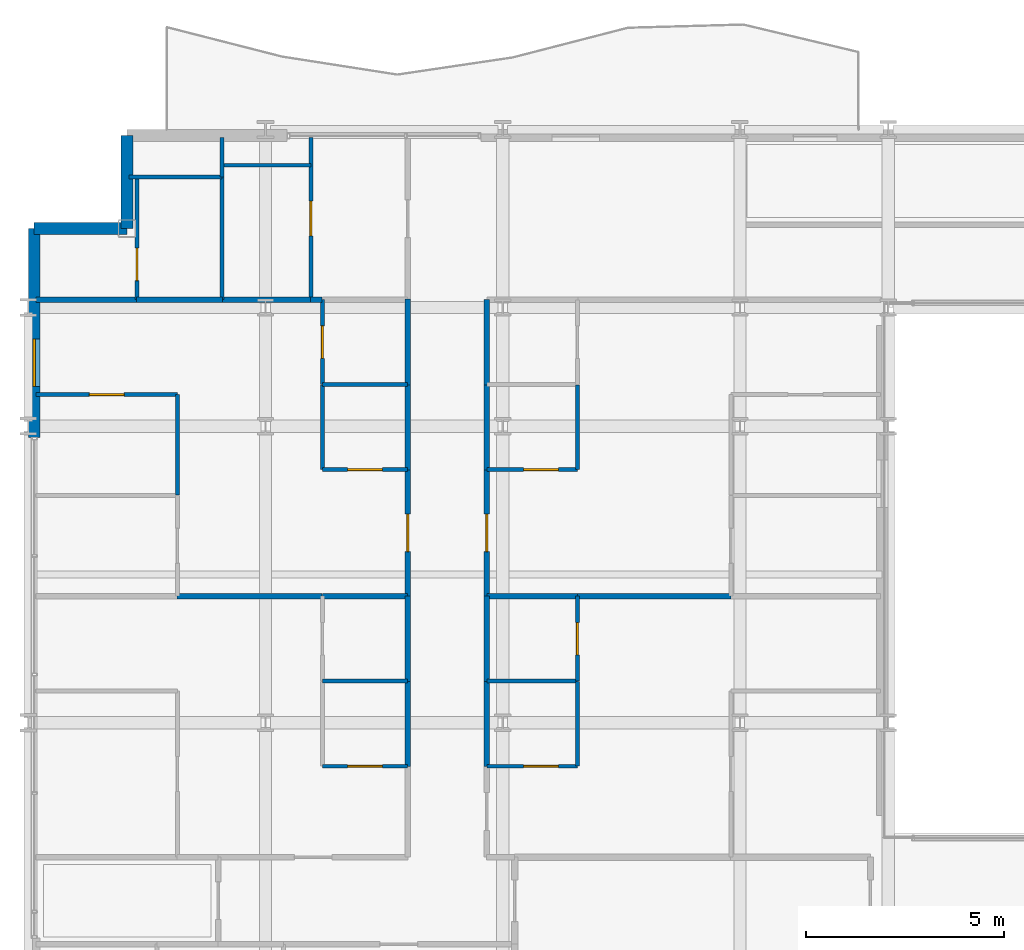
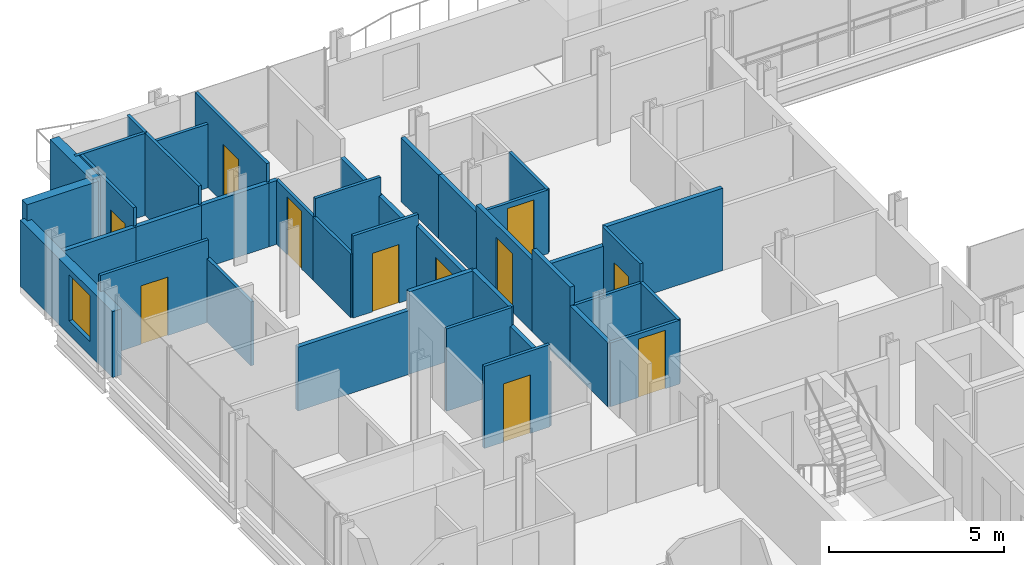
# One storey, part 33 of 40: 41 walls, 11 doors, 1 window, 12 openings.
"""IFC4 building model written with IfcOpenShell, lengths in metres."""

from ifc_helpers import new_model, si_unit, direction, frame, frame_2d, origin, place, context, subcontext, project, spatial, rectangle, extrude, material, layer, layer_set, type_object, element, fill, save


model = new_model("IFC4")

# Units and contexts
model_context = context("Model", 3, precision=1e-05, world=origin(), true_north=direction((0.0, 1.0)))
body_context = subcontext(model_context, "Body", "Model", "MODEL_VIEW")
ifc_project = project(units=[si_unit("LENGTHUNIT", "METRE"), si_unit("AREAUNIT", "SQUARE_METRE"), si_unit("VOLUMEUNIT", "CUBIC_METRE"), si_unit("PLANEANGLEUNIT", "RADIAN"), si_unit("MASSUNIT", "GRAM", prefix="KILO")], contexts=[model_context])

# Site, building, storey
site_placement = place(None, origin())
site = spatial("IfcSite", under=ifc_project, at=site_placement, CompositionType="ELEMENT")
building_placement = place(site_placement, origin())
building = spatial("IfcBuilding", under=site, at=building_placement, Name="Brevholm Reach", CompositionType="ELEMENT")
storey_placement = place(building_placement, frame((0.0, 0.0, 80.699951171875)))
storey = spatial("IfcBuildingStorey", under=building, at=storey_placement, Name="L23", CompositionType="ELEMENT", Elevation=80.699951171875)

# Walls
ifc_material_1 = material(Name="Concrete C40/50", Category="concrete")
ifc_layer_1 = layer(ifc_material_1, 0.300048828125)
ifc_layer_set_1 = layer_set([ifc_layer_1], Name="Concrete C40/50")
wall_type_1 = type_object("IfcWallType", Name="WAL-EXT-300", PredefinedType="STANDARD", material=ifc_layer_set_1)
for number, where, z_axis, x_axis, name in (
    (1, (2.5, 30.85009765625, 0.0), (0.0, 0.0, 1.0), (0.0, -1.0, 0.0), "L23 Facade Wall WAL-L23-CNW1"),
    (2, (2.5, 28.5, 0.0), (0.0, 0.0, 1.0), (-1.0, 0.0, 0.0), "L23 Facade Wall WAL-L23-CNW2"),
):
    element("IfcWall", number, at=place(storey_placement, frame(where, z_axis=z_axis, x_axis=x_axis)), inside=storey, type_object=wall_type_1, Name=name, PredefinedType="STANDARD", context=body_context, shape_type="SweptSolid", body=[
        extrude(rectangle(XDim=2.35009765625, YDim=0.300048828125, at=frame_2d((1.175048828125, 0.0))), origin(), (0.0, 0.0, 1.0), 2.8701171875),
    ])

# Wall, opening, window
wall_1_placement = place(storey_placement, frame((0.14990234375, 28.5, 0.0), z_axis=(0.0, 0.0, 1.0), x_axis=(0.0, -1.0, 0.0)))
wall_1 = element("IfcWall", 3, at=wall_1_placement, inside=storey, type_object=wall_type_1, Name="L23 Facade Wall WAL-L23-W-N", PredefinedType="STANDARD", context=body_context, shape_type="SweptSolid", body=[
    extrude(rectangle(XDim=5.280029296875, YDim=0.300048828125, at=frame_2d((2.64013671875, 0.0))), origin(), (0.0, 0.0, 1.0), 2.3056640625),
])
opening_1_placement = place(wall_1_placement, frame((2.800048828125, 0.0, 0.485107421875)))
opening_1 = element("IfcOpeningElement", 4, at=opening_1_placement, cuts=wall_1, Name="Opening WN-08", PredefinedType="OPENING", context=body_context, shape_type="SweptSolid", body=[
    extrude(rectangle(XDim=1.199951171875, YDim=1.60009765625, at=frame_2d((0.60009765625, 0.800048828125))), frame((0.0, 0.159912109375, 0.0), z_axis=(0.0, -1.0, 0.0), x_axis=(1.0, 0.0, 0.0)), (0.0, 0.0, 1.0), 0.320068359375),
])
ifc_material_2 = material(Name="Dark Anodised Aluminium and Solar-Control IGU Glass", Category="aluminium")
window_type = type_object("IfcWindowType", Name="WIN-RES-1200", PartitioningType="SINGLE_PANEL", PredefinedType="WINDOW", material=ifc_material_2)
window_placement = place(opening_1_placement, origin())
window = element("IfcWindow", 5, at=window_placement, inside=storey, type_object=window_type, Name="L23 Window WIN-L23-WN-1", OverallHeight=1.60009765625, OverallWidth=1.199951171875, PartitioningType="SINGLE_PANEL", PredefinedType="WINDOW", context=body_context, shape_type="SweptSolid", body=[
    extrude(rectangle(XDim=1.199951171875, YDim=1.60009765625, at=frame_2d((0.60009765625, 0.800048828125))), frame((0.0, 0.030029296875, 0.0), z_axis=(0.0, -1.0, 0.0), x_axis=(1.0, 0.0, 0.0)), (0.0, 0.0, 1.0), 0.06005859375),
])
fill(opening_1, window)

# Wall
ifc_material_3 = material(Name="Moisture-Resistant Acoustic Gypsum Stud Partition 100 mm", Category="gypsum")
ifc_layer_2 = layer(ifc_material_3, 0.10009765625)
ifc_layer_set_2 = layer_set([ifc_layer_2], Name="Moisture-Resistant Acoustic Gypsum Stud Partition 100 mm")
wall_type_2 = type_object("IfcWallType", Name="WAL-PRT-100", PredefinedType="PARTITIONING", material=ifc_layer_set_2)
wall_2_placement = place(storey_placement, frame((7.43798828125, 17.050048828125, 0.0), z_axis=(0.0, 0.0, 1.0), x_axis=(1.0, 0.0, 0.0)))
element("IfcWall", 6, at=wall_2_placement, inside=storey, type_object=wall_type_2, Name="L23 Internal Partition 091", PredefinedType="PARTITIONING", context=body_context, shape_type="SweptSolid", body=[
    extrude(rectangle(XDim=2.157958984375, YDim=0.10009765625, at=frame_2d((1.0791015625, 0.0))), origin(), (0.0, 0.0, 1.0), 2.8701171875),
])

# Wall, opening, door
wall_3_placement = place(storey_placement, frame((7.43798828125, 14.89990234375, 0.0), z_axis=(0.0, 0.0, 1.0), x_axis=(1.0, 0.0, 0.0)))
wall_3 = element("IfcWall", 7, at=wall_3_placement, inside=storey, type_object=wall_type_2, Name="L23 Internal Partition 094", PredefinedType="PARTITIONING", context=body_context, shape_type="SweptSolid", body=[
    extrude(rectangle(XDim=2.157958984375, YDim=0.10009765625, at=frame_2d((1.0791015625, 0.0))), origin(), (0.0, 0.0, 1.0), 2.8701171875),
])
opening_2_placement = place(wall_3_placement, frame((0.638916015625, 0.0, 0.0)))
opening_2 = element("IfcOpeningElement", 8, at=opening_2_placement, cuts=wall_3, Name="Opening ID-01", PredefinedType="OPENING", context=body_context, shape_type="SweptSolid", body=[
    extrude(rectangle(XDim=0.8798828125, YDim=2.0400390625, at=frame_2d((0.43994140625, 1.02001953125))), frame((0.0, 0.06005859375, 0.0), z_axis=(0.0, -1.0, 0.0), x_axis=(1.0, 0.0, 0.0)), (0.0, 0.0, 1.0), 0.1201171875),
])
ifc_material_4 = material(Name="Lacquered Ash Solid-Core Acoustic Internal Door", Category="timber")
door_type_1 = type_object("IfcDoorType", Name="DOR-INT-880", OperationType="NOTDEFINED", PredefinedType="DOOR", material=ifc_material_4)
door_1_placement = place(opening_2_placement, origin())
door_1 = element("IfcDoor", 9, at=door_1_placement, inside=storey, type_object=door_type_1, Name="L23 Internal Door 037", OperationType="SINGLE_SWING_RIGHT", OverallHeight=2.0400390625, OverallWidth=0.8798828125, PredefinedType="DOOR", context=body_context, shape_type="SweptSolid", body=[
    extrude(rectangle(XDim=0.8798828125, YDim=2.0400390625, at=frame_2d((0.43994140625, 1.02001953125))), frame((0.0, 0.02490234375, 0.0), z_axis=(0.0, -1.0, 0.0), x_axis=(1.0, 0.0, 0.0)), (0.0, 0.0, 1.0), 0.050048828125),
])
fill(opening_2, door_1)

# Wall
wall_4_placement = place(storey_placement, frame((7.43798828125, 24.550048828125, 0.0), z_axis=(0.0, 0.0, 1.0), x_axis=(1.0, 0.0, 0.0)))
element("IfcWall", 10, at=wall_4_placement, inside=storey, type_object=wall_type_2, Name="L23 Internal Partition 100", PredefinedType="PARTITIONING", context=body_context, shape_type="SweptSolid", body=[
    extrude(rectangle(XDim=2.157958984375, YDim=0.10009765625, at=frame_2d((1.0791015625, 0.0))), origin(), (0.0, 0.0, 1.0), 2.8701171875),
])

# Wall, opening, door
wall_5_placement = place(storey_placement, frame((7.43798828125, 24.550048828125, 0.0), z_axis=(0.0, 0.0, 1.0), x_axis=(0.0, 1.0, 0.0)))
wall_5 = element("IfcWall", 11, at=wall_5_placement, inside=storey, type_object=wall_type_2, Name="L23 Internal Partition 101", PredefinedType="PARTITIONING", context=body_context, shape_type="SweptSolid", body=[
    extrude(rectangle(XDim=2.14990234375, YDim=0.10009765625, at=frame_2d((1.074951171875, 0.0))), origin(), (0.0, 0.0, 1.0), 2.224853515625),
])
opening_3_placement = place(wall_5_placement, frame((0.6650390625, 0.0, 0.0)))
opening_3 = element("IfcOpeningElement", 12, at=opening_3_placement, cuts=wall_5, Name="Opening ID-03", PredefinedType="OPENING", context=body_context, shape_type="SweptSolid", body=[
    extrude(rectangle(XDim=0.820068359375, YDim=2.02001953125, at=frame_2d((0.41015625, 1.010009765625))), frame((0.0, 0.06005859375, 0.0), z_axis=(0.0, -1.0, 0.0), x_axis=(1.0, 0.0, 0.0)), (0.0, 0.0, 1.0), 0.1201171875),
])
ifc_material_5 = material(Name="Moisture-Resistant Painted Timber Internal Bathroom Door", Category="wood")
door_type_2 = type_object("IfcDoorType", Name="DOR-BATH-820", OperationType="NOTDEFINED", PredefinedType="DOOR", material=ifc_material_5)
door_2_placement = place(opening_3_placement, origin())
door_2 = element("IfcDoor", 13, at=door_2_placement, inside=storey, type_object=door_type_2, Name="L23 Internal Door 039", OperationType="SINGLE_SWING_RIGHT", OverallHeight=2.02001953125, OverallWidth=0.820068359375, PredefinedType="DOOR", context=body_context, shape_type="SweptSolid", body=[
    extrude(rectangle(XDim=0.820068359375, YDim=2.02001953125, at=frame_2d((0.41015625, 1.010009765625))), frame((0.0, 0.02490234375, 0.0), z_axis=(0.0, -1.0, 0.0), x_axis=(1.0, 0.0, 0.0)), (0.0, 0.0, 1.0), 0.050048828125),
])
fill(opening_3, door_2)

wall_6_placement = place(storey_placement, frame((7.43798828125, 22.39990234375, 0.0), z_axis=(0.0, 0.0, 1.0), x_axis=(1.0, 0.0, 0.0)))
wall_6 = element("IfcWall", 14, at=wall_6_placement, inside=storey, type_object=wall_type_2, Name="L23 Internal Partition 103", PredefinedType="PARTITIONING", context=body_context, shape_type="SweptSolid", body=[
    extrude(rectangle(XDim=2.157958984375, YDim=0.10009765625, at=frame_2d((1.0791015625, 0.0))), origin(), (0.0, 0.0, 1.0), 2.8701171875),
])
opening_4_placement = place(wall_6_placement, frame((0.638916015625, 0.0, 0.0)))
opening_4 = element("IfcOpeningElement", 15, at=opening_4_placement, cuts=wall_6, Name="Opening ID-01", PredefinedType="OPENING", context=body_context, shape_type="SweptSolid", body=[
    extrude(rectangle(XDim=0.8798828125, YDim=2.0400390625, at=frame_2d((0.43994140625, 1.02001953125))), frame((0.0, 0.06005859375, 0.0), z_axis=(0.0, -1.0, 0.0), x_axis=(1.0, 0.0, 0.0)), (0.0, 0.0, 1.0), 0.1201171875),
])
door_3_placement = place(opening_4_placement, origin())
door_3 = element("IfcDoor", 16, at=door_3_placement, inside=storey, type_object=door_type_1, Name="L23 Internal Door 040", OperationType="SINGLE_SWING_LEFT", OverallHeight=2.0400390625, OverallWidth=0.8798828125, PredefinedType="DOOR", context=body_context, shape_type="SweptSolid", body=[
    extrude(rectangle(XDim=0.8798828125, YDim=2.0400390625, at=frame_2d((0.43994140625, 1.02001953125))), frame((0.0, 0.02490234375, 0.0), z_axis=(0.0, -1.0, 0.0), x_axis=(1.0, 0.0, 0.0)), (0.0, 0.0, 1.0), 0.050048828125),
])
fill(opening_4, door_3)

# Walls
wall_7_placement = place(storey_placement, frame((7.43798828125, 22.39990234375, 0.0), z_axis=(0.0, 0.0, 1.0), x_axis=(0.0, 1.0, 0.0)))
element("IfcWall", 17, at=wall_7_placement, inside=storey, type_object=wall_type_2, Name="L23 Internal Partition 104", PredefinedType="PARTITIONING", context=body_context, shape_type="SweptSolid", body=[
    extrude(rectangle(XDim=2.14599609375, YDim=0.10009765625, at=frame_2d((1.072998046875, 0.0))), origin(), (0.0, 0.0, 1.0), 2.224853515625),
])
wall_8_placement = place(storey_placement, frame((3.77197265625, 21.75390625, 0.0), z_axis=(0.0, 0.0, 1.0), x_axis=(0.0, 1.0, 0.0)))
element("IfcWall", 18, at=wall_8_placement, inside=storey, type_object=wall_type_2, Name="L23 Internal Partition 107", PredefinedType="PARTITIONING", context=body_context, shape_type="SweptSolid", body=[
    extrude(rectangle(XDim=2.546142578125, YDim=0.10009765625, at=frame_2d((1.27294921875, 0.0))), origin(), (0.0, 0.0, 1.0), 2.224853515625),
])

# Wall, opening, door
wall_9_placement = place(storey_placement, frame((0.199951171875, 24.300048828125, 0.0), z_axis=(0.0, 0.0, 1.0), x_axis=(1.0, 0.0, 0.0)))
wall_9 = element("IfcWall", 19, at=wall_9_placement, inside=storey, type_object=wall_type_2, Name="L23 Internal Partition 108", PredefinedType="PARTITIONING", context=body_context, shape_type="SweptSolid", body=[
    extrude(rectangle(XDim=3.572021484375, YDim=0.10009765625, at=frame_2d((1.7861328125, 0.0))), origin(), (0.0, 0.0, 1.0), 2.8701171875),
])
opening_5_placement = place(wall_9_placement, frame((1.345947265625, 0.0, 0.0)))
opening_5 = element("IfcOpeningElement", 20, at=opening_5_placement, cuts=wall_9, Name="Opening ID-01", PredefinedType="OPENING", context=body_context, shape_type="SweptSolid", body=[
    extrude(rectangle(XDim=0.8798828125, YDim=2.0400390625, at=frame_2d((0.43994140625, 1.02001953125))), frame((0.0, 0.06005859375, 0.0), z_axis=(0.0, -1.0, 0.0), x_axis=(1.0, 0.0, 0.0)), (0.0, 0.0, 1.0), 0.1201171875),
])
door_4_placement = place(opening_5_placement, origin())
door_4 = element("IfcDoor", 21, at=door_4_placement, inside=storey, type_object=door_type_1, Name="L23 Internal Door 042", OperationType="SINGLE_SWING_LEFT", OverallHeight=2.0400390625, OverallWidth=0.8798828125, PredefinedType="DOOR", context=body_context, shape_type="SweptSolid", body=[
    extrude(rectangle(XDim=0.8798828125, YDim=2.0400390625, at=frame_2d((0.43994140625, 1.02001953125))), frame((0.0, 0.02490234375, 0.0), z_axis=(0.0, -1.0, 0.0), x_axis=(1.0, 0.0, 0.0)), (0.0, 0.0, 1.0), 0.050048828125),
])
fill(opening_5, door_4)

# Wall
wall_10_placement = place(storey_placement, frame((11.60400390625, 17.050048828125, 0.0), z_axis=(0.0, 0.0, 1.0), x_axis=(1.0, 0.0, 0.0)))
element("IfcWall", 22, at=wall_10_placement, inside=storey, type_object=wall_type_2, Name="L23 Internal Partition 113", PredefinedType="PARTITIONING", context=body_context, shape_type="SweptSolid", body=[
    extrude(rectangle(XDim=2.284912109375, YDim=0.10009765625, at=frame_2d((1.142578125, 0.0))), origin(), (0.0, 0.0, 1.0), 2.224853515625),
])

# Wall, opening, door
wall_11_placement = place(storey_placement, frame((13.888916015625, 17.050048828125, 0.0), z_axis=(0.0, 0.0, 1.0), x_axis=(0.0, 1.0, 0.0)))
wall_11 = element("IfcWall", 23, at=wall_11_placement, inside=storey, type_object=wall_type_2, Name="L23 Internal Partition 114", PredefinedType="PARTITIONING", context=body_context, shape_type="SweptSolid", body=[
    extrude(rectangle(XDim=2.14990234375, YDim=0.10009765625, at=frame_2d((1.074951171875, 0.0))), origin(), (0.0, 0.0, 1.0), 2.8701171875),
])
opening_6_placement = place(wall_11_placement, frame((0.6650390625, 0.0, 0.0)))
opening_6 = element("IfcOpeningElement", 24, at=opening_6_placement, cuts=wall_11, Name="Opening ID-03", PredefinedType="OPENING", context=body_context, shape_type="SweptSolid", body=[
    extrude(rectangle(XDim=0.820068359375, YDim=2.02001953125, at=frame_2d((0.41015625, 1.010009765625))), frame((0.0, 0.06005859375, 0.0), z_axis=(0.0, -1.0, 0.0), x_axis=(1.0, 0.0, 0.0)), (0.0, 0.0, 1.0), 0.1201171875),
])
door_5_placement = place(opening_6_placement, origin())
door_5 = element("IfcDoor", 25, at=door_5_placement, inside=storey, type_object=door_type_2, Name="L23 Internal Door 043", OperationType="SINGLE_SWING_RIGHT", OverallHeight=2.02001953125, OverallWidth=0.820068359375, PredefinedType="DOOR", context=body_context, shape_type="SweptSolid", body=[
    extrude(rectangle(XDim=0.820068359375, YDim=2.02001953125, at=frame_2d((0.41015625, 1.010009765625))), frame((0.0, 0.02490234375, 0.0), z_axis=(0.0, -1.0, 0.0), x_axis=(1.0, 0.0, 0.0)), (0.0, 0.0, 1.0), 0.050048828125),
])
fill(opening_6, door_5)

wall_12_placement = place(storey_placement, frame((11.60400390625, 14.89990234375, 0.0), z_axis=(0.0, 0.0, 1.0), x_axis=(1.0, 0.0, 0.0)))
wall_12 = element("IfcWall", 26, at=wall_12_placement, inside=storey, type_object=wall_type_2, Name="L23 Internal Partition 116", PredefinedType="PARTITIONING", context=body_context, shape_type="SweptSolid", body=[
    extrude(rectangle(XDim=2.284912109375, YDim=0.10009765625, at=frame_2d((1.142578125, 0.0))), origin(), (0.0, 0.0, 1.0), 2.224853515625),
])
opening_7_placement = place(wall_12_placement, frame((0.922607421875, 0.0, 0.0)))
opening_7 = element("IfcOpeningElement", 27, at=opening_7_placement, cuts=wall_12, Name="Opening ID-01", PredefinedType="OPENING", context=body_context, shape_type="SweptSolid", body=[
    extrude(rectangle(XDim=0.8798828125, YDim=2.0400390625, at=frame_2d((0.43994140625, 1.02001953125))), frame((0.0, 0.06005859375, 0.0), z_axis=(0.0, -1.0, 0.0), x_axis=(1.0, 0.0, 0.0)), (0.0, 0.0, 1.0), 0.1201171875),
])
door_6_placement = place(opening_7_placement, origin())
door_6 = element("IfcDoor", 28, at=door_6_placement, inside=storey, type_object=door_type_1, Name="L23 Internal Door 044", OperationType="SINGLE_SWING_LEFT", OverallHeight=2.0400390625, OverallWidth=0.8798828125, PredefinedType="DOOR", context=body_context, shape_type="SweptSolid", body=[
    extrude(rectangle(XDim=0.8798828125, YDim=2.0400390625, at=frame_2d((0.43994140625, 1.02001953125))), frame((0.0, 0.02490234375, 0.0), z_axis=(0.0, -1.0, 0.0), x_axis=(1.0, 0.0, 0.0)), (0.0, 0.0, 1.0), 0.050048828125),
])
fill(opening_7, door_6)

# Wall
wall_13_placement = place(storey_placement, frame((13.888916015625, 14.89990234375, 0.0), z_axis=(0.0, 0.0, 1.0), x_axis=(0.0, 1.0, 0.0)))
element("IfcWall", 29, at=wall_13_placement, inside=storey, type_object=wall_type_2, Name="L23 Internal Partition 117", PredefinedType="PARTITIONING", context=body_context, shape_type="SweptSolid", body=[
    extrude(rectangle(XDim=2.14599609375, YDim=0.10009765625, at=frame_2d((1.072998046875, 0.0))), origin(), (0.0, 0.0, 1.0), 2.224853515625),
])

# Wall, opening, door
wall_14_placement = place(storey_placement, frame((11.60400390625, 22.39990234375, 0.0), z_axis=(0.0, 0.0, 1.0), x_axis=(1.0, 0.0, 0.0)))
wall_14 = element("IfcWall", 30, at=wall_14_placement, inside=storey, type_object=wall_type_2, Name="L23 Internal Partition 124", PredefinedType="PARTITIONING", context=body_context, shape_type="SweptSolid", body=[
    extrude(rectangle(XDim=2.284912109375, YDim=0.10009765625, at=frame_2d((1.142578125, 0.0))), origin(), (0.0, 0.0, 1.0), 2.224853515625),
])
opening_8_placement = place(wall_14_placement, frame((0.922607421875, 0.0, 0.0)))
opening_8 = element("IfcOpeningElement", 31, at=opening_8_placement, cuts=wall_14, Name="Opening ID-01", PredefinedType="OPENING", context=body_context, shape_type="SweptSolid", body=[
    extrude(rectangle(XDim=0.8798828125, YDim=2.0400390625, at=frame_2d((0.43994140625, 1.02001953125))), frame((0.0, 0.06005859375, 0.0), z_axis=(0.0, -1.0, 0.0), x_axis=(1.0, 0.0, 0.0)), (0.0, 0.0, 1.0), 0.1201171875),
])
door_7_placement = place(opening_8_placement, origin())
door_7 = element("IfcDoor", 32, at=door_7_placement, inside=storey, type_object=door_type_1, Name="L23 Internal Door 047", OperationType="SINGLE_SWING_RIGHT", OverallHeight=2.0400390625, OverallWidth=0.8798828125, PredefinedType="DOOR", context=body_context, shape_type="SweptSolid", body=[
    extrude(rectangle(XDim=0.8798828125, YDim=2.0400390625, at=frame_2d((0.43994140625, 1.02001953125))), frame((0.0, 0.02490234375, 0.0), z_axis=(0.0, -1.0, 0.0), x_axis=(1.0, 0.0, 0.0)), (0.0, 0.0, 1.0), 0.050048828125),
])
fill(opening_8, door_7)

# Walls
wall_15_placement = place(storey_placement, frame((13.888916015625, 22.39990234375, 0.0), z_axis=(0.0, 0.0, 1.0), x_axis=(0.0, 1.0, 0.0)))
element("IfcWall", 33, at=wall_15_placement, inside=storey, type_object=wall_type_2, Name="L23 Internal Partition 125", PredefinedType="PARTITIONING", context=body_context, shape_type="SweptSolid", body=[
    extrude(rectangle(XDim=2.14599609375, YDim=0.10009765625, at=frame_2d((1.072998046875, 0.0))), origin(), (0.0, 0.0, 1.0), 2.224853515625),
])
wall_16_placement = place(storey_placement, frame((4.89990234375, 26.7041015625, 0.0), z_axis=(0.0, 0.0, 1.0), x_axis=(0.0, 1.0, 0.0)))
element("IfcWall", 34, at=wall_16_placement, inside=storey, type_object=wall_type_2, Name="L23 Internal Partition 169", PredefinedType="PARTITIONING", context=body_context, shape_type="SweptSolid", body=[
    extrude(rectangle(XDim=3.095947265625, YDim=0.10009765625, at=frame_2d((1.5478515625, 0.0))), origin(), (0.0, 0.0, 1.0), 2.8701171875),
])
wall_17_placement = place(storey_placement, frame((2.550048828125, 29.800048828125, 0.0), z_axis=(0.0, 0.0, 1.0), x_axis=(1.0, 0.0, 0.0)))
element("IfcWall", 35, at=wall_17_placement, inside=storey, type_object=wall_type_2, Name="L23 Internal Partition 170", PredefinedType="PARTITIONING", context=body_context, shape_type="SweptSolid", body=[
    extrude(rectangle(XDim=2.349853515625, YDim=0.10009765625, at=frame_2d((1.1748046875, 0.0))), origin(), (0.0, 0.0, 1.0), 2.8701171875),
])

# Wall, opening, door
wall_18_placement = place(storey_placement, frame((2.75, 26.7041015625, 0.0), z_axis=(0.0, 0.0, 1.0), x_axis=(0.0, 1.0, 0.0)))
wall_18 = element("IfcWall", 36, at=wall_18_placement, inside=storey, type_object=wall_type_2, Name="L23 Internal Partition 171", PredefinedType="PARTITIONING", context=body_context, shape_type="SweptSolid", body=[
    extrude(rectangle(XDim=3.095947265625, YDim=0.10009765625, at=frame_2d((1.5478515625, 0.0))), origin(), (0.0, 0.0, 1.0), 2.8701171875),
])
opening_9_placement = place(wall_18_placement, frame((0.47802734375, 0.0, 0.0)))
opening_9 = element("IfcOpeningElement", 37, at=opening_9_placement, cuts=wall_18, Name="Opening ID-03", PredefinedType="OPENING", context=body_context, shape_type="SweptSolid", body=[
    extrude(rectangle(XDim=0.820068359375, YDim=2.02001953125, at=frame_2d((0.41015625, 1.010009765625))), frame((0.0, 0.06005859375, 0.0), z_axis=(0.0, -1.0, 0.0), x_axis=(1.0, 0.0, 0.0)), (0.0, 0.0, 1.0), 0.1201171875),
])
door_8_placement = place(opening_9_placement, origin())
door_8 = element("IfcDoor", 38, at=door_8_placement, inside=storey, type_object=door_type_2, Name="L23 Internal Door 064", OperationType="SINGLE_SWING_LEFT", OverallHeight=2.02001953125, OverallWidth=0.820068359375, PredefinedType="DOOR", context=body_context, shape_type="SweptSolid", body=[
    extrude(rectangle(XDim=0.820068359375, YDim=2.02001953125, at=frame_2d((0.41015625, 1.010009765625))), frame((0.0, 0.02490234375, 0.0), z_axis=(0.0, -1.0, 0.0), x_axis=(1.0, 0.0, 0.0)), (0.0, 0.0, 1.0), 0.050048828125),
])
fill(opening_9, door_8)

wall_19_placement = place(storey_placement, frame((7.14990234375, 26.7041015625, 0.0), z_axis=(0.0, 0.0, 1.0), x_axis=(0.0, 1.0, 0.0)))
wall_19 = element("IfcWall", 39, at=wall_19_placement, inside=storey, type_object=wall_type_2, Name="L23 Internal Partition 172", PredefinedType="PARTITIONING", context=body_context, shape_type="SweptSolid", body=[
    extrude(rectangle(XDim=4.095947265625, YDim=0.10009765625, at=frame_2d((2.0478515625, 0.0))), origin(), (0.0, 0.0, 1.0), 2.8701171875),
])
opening_10_placement = place(wall_19_placement, frame((1.60791015625, 0.0, 0.0)))
opening_10 = element("IfcOpeningElement", 40, at=opening_10_placement, cuts=wall_19, Name="Opening ID-01", PredefinedType="OPENING", context=body_context, shape_type="SweptSolid", body=[
    extrude(rectangle(XDim=0.8798828125, YDim=2.0400390625, at=frame_2d((0.43994140625, 1.02001953125))), frame((0.0, 0.06005859375, 0.0), z_axis=(0.0, -1.0, 0.0), x_axis=(1.0, 0.0, 0.0)), (0.0, 0.0, 1.0), 0.1201171875),
])
door_9_placement = place(opening_10_placement, origin())
door_9 = element("IfcDoor", 41, at=door_9_placement, inside=storey, type_object=door_type_1, Name="L23 Internal Door 065", OperationType="SINGLE_SWING_RIGHT", OverallHeight=2.0400390625, OverallWidth=0.8798828125, PredefinedType="DOOR", context=body_context, shape_type="SweptSolid", body=[
    extrude(rectangle(XDim=0.8798828125, YDim=2.0400390625, at=frame_2d((0.43994140625, 1.02001953125))), frame((0.0, 0.02490234375, 0.0), z_axis=(0.0, -1.0, 0.0), x_axis=(1.0, 0.0, 0.0)), (0.0, 0.0, 1.0), 0.050048828125),
])
fill(opening_10, door_9)

# Walls
wall_20_placement = place(storey_placement, frame((4.89990234375, 30.10009765625, 0.0), z_axis=(0.0, 0.0, 1.0), x_axis=(1.0, 0.0, 0.0)))
element("IfcWall", 42, at=wall_20_placement, inside=storey, type_object=wall_type_2, Name="L23 Internal Partition 173", PredefinedType="PARTITIONING", context=body_context, shape_type="SweptSolid", body=[
    extrude(rectangle(XDim=2.25, YDim=0.10009765625, at=frame_2d((1.125, 0.0))), origin(), (0.0, 0.0, 1.0), 2.224853515625),
])
wall_21_placement = place(storey_placement, frame((4.89990234375, 29.803955078125, 0.0), z_axis=(0.0, 0.0, 1.0), x_axis=(0.0, 1.0, 0.0)))
element("IfcWall", 43, at=wall_21_placement, inside=storey, type_object=wall_type_2, Name="L23 Internal Partition 174", PredefinedType="PARTITIONING", context=body_context, shape_type="SweptSolid", body=[
    extrude(rectangle(XDim=0.99609375, YDim=0.10009765625, at=frame_2d((0.498046875, 0.0))), origin(), (0.0, 0.0, 1.0), 2.8701171875),
])
ifc_material_6 = material(Name="Twin-Stud Acoustic Fire-Rated Gypsum Partition 140 mm", Category="gypsum")
ifc_layer_3 = layer(ifc_material_6, 0.139892578125)
ifc_layer_set_3 = layer_set([ifc_layer_3], Name="Twin-Stud Acoustic Fire-Rated Gypsum Partition 140 mm")
wall_type_3 = type_object("IfcWallType", Name="WAL-PRT-140", PredefinedType="PARTITIONING", material=ifc_layer_set_3)
wall_22_placement = place(storey_placement, frame((9.60009765625, 17.038818359375, 0.0), z_axis=(0.0, 0.0, 1.0), x_axis=(0.0, 1.0, 0.0)))
element("IfcWall", 44, at=wall_22_placement, inside=storey, type_object=wall_type_3, Name="L23 Internal Partition 033", PredefinedType="PARTITIONING", context=body_context, shape_type="SweptSolid", body=[
    extrude(rectangle(XDim=2.17236328125, YDim=0.139892578125, at=frame_2d((1.086181640625, 0.0))), origin(), (0.0, 0.0, 1.0), 2.8701171875),
])
wall_23_placement = place(storey_placement, frame((9.60009765625, 14.888671875, 0.0), z_axis=(0.0, 0.0, 1.0), x_axis=(0.0, 1.0, 0.0)))
element("IfcWall", 45, at=wall_23_placement, inside=storey, type_object=wall_type_3, Name="L23 Internal Partition 034", PredefinedType="PARTITIONING", context=body_context, shape_type="SweptSolid", body=[
    extrude(rectangle(XDim=2.168701171875, YDim=0.139892578125, at=frame_2d((1.08447265625, 0.0))), origin(), (0.0, 0.0, 1.0), 2.224853515625),
])
wall_24_placement = place(storey_placement, frame((9.60009765625, 24.538818359375, 0.0), z_axis=(0.0, 0.0, 1.0), x_axis=(0.0, 1.0, 0.0)))
element("IfcWall", 46, at=wall_24_placement, inside=storey, type_object=wall_type_3, Name="L23 Internal Partition 036", PredefinedType="PARTITIONING", context=body_context, shape_type="SweptSolid", body=[
    extrude(rectangle(XDim=2.17236328125, YDim=0.139892578125, at=frame_2d((1.086181640625, 0.0))), origin(), (0.0, 0.0, 1.0), 2.224853515625),
])
wall_25_placement = place(storey_placement, frame((9.60009765625, 22.388671875, 0.0), z_axis=(0.0, 0.0, 1.0), x_axis=(0.0, 1.0, 0.0)))
element("IfcWall", 47, at=wall_25_placement, inside=storey, type_object=wall_type_3, Name="L23 Internal Partition 037", PredefinedType="PARTITIONING", context=body_context, shape_type="SweptSolid", body=[
    extrude(rectangle(XDim=2.168701171875, YDim=0.139892578125, at=frame_2d((1.08447265625, 0.0))), origin(), (0.0, 0.0, 1.0), 2.224853515625),
])

# Wall, opening, door
wall_26_placement = place(storey_placement, frame((9.60009765625, 19.192626953125, 0.0), z_axis=(0.0, 0.0, 1.0), x_axis=(0.0, 1.0, 0.0)))
wall_26 = element("IfcWall", 48, at=wall_26_placement, inside=storey, type_object=wall_type_3, Name="L23 Internal Partition 038", PredefinedType="PARTITIONING", context=body_context, shape_type="SweptSolid", body=[
    extrude(rectangle(XDim=3.214599609375, YDim=0.139892578125, at=frame_2d((1.607421875, 0.0))), origin(), (0.0, 0.0, 1.0), 2.489990234375),
])
opening_11_placement = place(wall_26_placement, frame((1.13232421875, 0.0, 0.0)))
opening_11 = element("IfcOpeningElement", 49, at=opening_11_placement, cuts=wall_26, Name="Opening ID-30", PredefinedType="OPENING", context=body_context, shape_type="SweptSolid", body=[
    extrude(rectangle(XDim=0.949951171875, YDim=2.050048828125, at=frame_2d((0.47509765625, 1.02490234375))), frame((0.0, 0.079833984375, 0.0), z_axis=(0.0, -1.0, 0.0), x_axis=(1.0, 0.0, 0.0)), (0.0, 0.0, 1.0), 0.159912109375),
])
ifc_material_7 = material(Name="European Oak Veneered Solid-Core Fire Entrance Door", Category="timber")
door_type_3 = type_object("IfcDoorType", Name="DOR-FLT-FD30S", OperationType="NOTDEFINED", PredefinedType="DOOR", material=ifc_material_7)
door_10_placement = place(opening_11_placement, origin())
door_10 = element("IfcDoor", 50, at=door_10_placement, inside=storey, type_object=door_type_3, Name="L23 Internal Door 018", OperationType="SINGLE_SWING_LEFT", OverallHeight=2.050048828125, OverallWidth=0.949951171875, PredefinedType="DOOR", context=body_context, shape_type="SweptSolid", body=[
    extrude(rectangle(XDim=0.949951171875, YDim=2.050048828125, at=frame_2d((0.47509765625, 1.02490234375))), frame((0.0, 0.02490234375, 0.0), z_axis=(0.0, -1.0, 0.0), x_axis=(1.0, 0.0, 0.0)), (0.0, 0.0, 1.0), 0.050048828125),
])
fill(opening_11, door_10)

# Walls
wall_27_placement = place(storey_placement, frame((11.60009765625, 17.038818359375, 0.0), z_axis=(0.0, 0.0, 1.0), x_axis=(0.0, 1.0, 0.0)))
element("IfcWall", 51, at=wall_27_placement, inside=storey, type_object=wall_type_3, Name="L23 Internal Partition 039", PredefinedType="PARTITIONING", context=body_context, shape_type="SweptSolid", body=[
    extrude(rectangle(XDim=2.17236328125, YDim=0.139892578125, at=frame_2d((1.086181640625, 0.0))), origin(), (0.0, 0.0, 1.0), 2.8701171875),
])
wall_28_placement = place(storey_placement, frame((11.60009765625, 14.888671875, 0.0), z_axis=(0.0, 0.0, 1.0), x_axis=(0.0, 1.0, 0.0)))
element("IfcWall", 52, at=wall_28_placement, inside=storey, type_object=wall_type_3, Name="L23 Internal Partition 040", PredefinedType="PARTITIONING", context=body_context, shape_type="SweptSolid", body=[
    extrude(rectangle(XDim=2.168701171875, YDim=0.139892578125, at=frame_2d((1.08447265625, 0.0))), origin(), (0.0, 0.0, 1.0), 2.224853515625),
])
wall_29_placement = place(storey_placement, frame((11.60009765625, 24.538818359375, 0.0), z_axis=(0.0, 0.0, 1.0), x_axis=(0.0, 1.0, 0.0)))
element("IfcWall", 53, at=wall_29_placement, inside=storey, type_object=wall_type_3, Name="L23 Internal Partition 042", PredefinedType="PARTITIONING", context=body_context, shape_type="SweptSolid", body=[
    extrude(rectangle(XDim=2.16845703125, YDim=0.139892578125, at=frame_2d((1.084228515625, 0.0))), origin(), (0.0, 0.0, 1.0), 2.224853515625),
])
wall_30_placement = place(storey_placement, frame((11.60009765625, 22.388671875, 0.0), z_axis=(0.0, 0.0, 1.0), x_axis=(0.0, 1.0, 0.0)))
element("IfcWall", 54, at=wall_30_placement, inside=storey, type_object=wall_type_3, Name="L23 Internal Partition 043", PredefinedType="PARTITIONING", context=body_context, shape_type="SweptSolid", body=[
    extrude(rectangle(XDim=2.168701171875, YDim=0.139892578125, at=frame_2d((1.08447265625, 0.0))), origin(), (0.0, 0.0, 1.0), 2.224853515625),
])

# Wall, opening, door
wall_31_placement = place(storey_placement, frame((11.60009765625, 19.192626953125, 0.0), z_axis=(0.0, 0.0, 1.0), x_axis=(0.0, 1.0, 0.0)))
wall_31 = element("IfcWall", 55, at=wall_31_placement, inside=storey, type_object=wall_type_3, Name="L23 Internal Partition 044", PredefinedType="PARTITIONING", context=body_context, shape_type="SweptSolid", body=[
    extrude(rectangle(XDim=3.214599609375, YDim=0.139892578125, at=frame_2d((1.607421875, 0.0))), origin(), (0.0, 0.0, 1.0), 2.489990234375),
])
opening_12_placement = place(wall_31_placement, frame((1.13232421875, 0.0, 0.0)))
opening_12 = element("IfcOpeningElement", 56, at=opening_12_placement, cuts=wall_31, Name="Opening ID-30", PredefinedType="OPENING", context=body_context, shape_type="SweptSolid", body=[
    extrude(rectangle(XDim=0.949951171875, YDim=2.050048828125, at=frame_2d((0.47509765625, 1.02490234375))), frame((0.0, 0.079833984375, 0.0), z_axis=(0.0, -1.0, 0.0), x_axis=(1.0, 0.0, 0.0)), (0.0, 0.0, 1.0), 0.159912109375),
])
door_11_placement = place(opening_12_placement, origin())
door_11 = element("IfcDoor", 57, at=door_11_placement, inside=storey, type_object=door_type_3, Name="L23 Internal Door 020", OperationType="SINGLE_SWING_LEFT", OverallHeight=2.050048828125, OverallWidth=0.949951171875, PredefinedType="DOOR", context=body_context, shape_type="SweptSolid", body=[
    extrude(rectangle(XDim=0.949951171875, YDim=2.050048828125, at=frame_2d((0.47509765625, 1.02490234375))), frame((0.0, 0.02490234375, 0.0), z_axis=(0.0, -1.0, 0.0), x_axis=(1.0, 0.0, 0.0)), (0.0, 0.0, 1.0), 0.050048828125),
])
fill(opening_12, door_11)

# Walls
wall_32_placement = place(storey_placement, frame((7.43798828125, 19.199951171875, 0.0), z_axis=(0.0, 0.0, 1.0), x_axis=(1.0, 0.0, 0.0)))
element("IfcWall", 58, at=wall_32_placement, inside=storey, type_object=wall_type_3, Name="L23 Internal Partition 093", PredefinedType="PARTITIONING", context=body_context, shape_type="SweptSolid", body=[
    extrude(rectangle(XDim=2.157958984375, YDim=0.139892578125, at=frame_2d((1.0791015625, 0.0))), origin(), (0.0, 0.0, 1.0), 2.8701171875),
])
wall_33_placement = place(storey_placement, frame((3.7646484375, 19.199951171875, 0.0), z_axis=(0.0, 0.0, 1.0), x_axis=(1.0, 0.0, 0.0)))
element("IfcWall", 59, at=wall_33_placement, inside=storey, type_object=wall_type_3, Name="L23 Internal Partition 099", PredefinedType="PARTITIONING", context=body_context, shape_type="SweptSolid", body=[
    extrude(rectangle(XDim=3.66943359375, YDim=0.139892578125, at=frame_2d((1.834716796875, 0.0))), origin(), (0.0, 0.0, 1.0), 2.224853515625),
])
wall_34_placement = place(storey_placement, frame((2.73876953125, 26.699951171875, 0.0), z_axis=(0.0, 0.0, 1.0), x_axis=(1.0, 0.0, 0.0)))
element("IfcWall", 60, at=wall_34_placement, inside=storey, type_object=wall_type_3, Name="L23 Internal Partition 109", PredefinedType="PARTITIONING", context=body_context, shape_type="SweptSolid", body=[
    extrude(rectangle(XDim=2.172607421875, YDim=0.139892578125, at=frame_2d((1.08642578125, 0.0))), origin(), (0.0, 0.0, 1.0), 2.224853515625),
])
wall_35_placement = place(storey_placement, frame((4.892578125, 26.699951171875, 0.0), z_axis=(0.0, 0.0, 1.0), x_axis=(1.0, 0.0, 0.0)))
element("IfcWall", 61, at=wall_35_placement, inside=storey, type_object=wall_type_3, Name="L23 Internal Partition 110", PredefinedType="PARTITIONING", context=body_context, shape_type="SweptSolid", body=[
    extrude(rectangle(XDim=2.268798828125, YDim=0.139892578125, at=frame_2d((1.13427734375, 0.0))), origin(), (0.0, 0.0, 1.0), 2.224853515625),
])
wall_36_placement = place(storey_placement, frame((7.142578125, 26.699951171875, 0.0), z_axis=(0.0, 0.0, 1.0), x_axis=(1.0, 0.0, 0.0)))
element("IfcWall", 62, at=wall_36_placement, inside=storey, type_object=wall_type_3, Name="L23 Internal Partition 111", PredefinedType="PARTITIONING", context=body_context, shape_type="SweptSolid", body=[
    extrude(rectangle(XDim=0.29150390625, YDim=0.139892578125, at=frame_2d((0.145751953125, 0.0))), origin(), (0.0, 0.0, 1.0), 2.224853515625),
])
wall_37_placement = place(storey_placement, frame((0.199951171875, 26.699951171875, 0.0), z_axis=(0.0, 0.0, 1.0), x_axis=(1.0, 0.0, 0.0)))
element("IfcWall", 63, at=wall_37_placement, inside=storey, type_object=wall_type_3, Name="L23 Internal Partition 112", PredefinedType="PARTITIONING", context=body_context, shape_type="SweptSolid", body=[
    extrude(rectangle(XDim=2.557373046875, YDim=0.139892578125, at=frame_2d((1.27880859375, 0.0))), origin(), (0.0, 0.0, 1.0), 2.224853515625),
])
wall_38_placement = place(storey_placement, frame((11.60400390625, 19.199951171875, 0.0), z_axis=(0.0, 0.0, 1.0), x_axis=(1.0, 0.0, 0.0)))
element("IfcWall", 64, at=wall_38_placement, inside=storey, type_object=wall_type_3, Name="L23 Internal Partition 115", PredefinedType="PARTITIONING", context=body_context, shape_type="SweptSolid", body=[
    extrude(rectangle(XDim=2.284912109375, YDim=0.139892578125, at=frame_2d((1.142578125, 0.0))), origin(), (0.0, 0.0, 1.0), 2.224853515625),
])
wall_39_placement = place(storey_placement, frame((13.89306640625, 19.199951171875, 0.0), z_axis=(0.0, 0.0, 1.0), x_axis=(1.0, 0.0, 0.0)))
element("IfcWall", 65, at=wall_39_placement, inside=storey, type_object=wall_type_3, Name="L23 Internal Partition 121", PredefinedType="PARTITIONING", context=body_context, shape_type="SweptSolid", body=[
    extrude(rectangle(XDim=3.88330078125, YDim=0.139892578125, at=frame_2d((1.941650390625, 0.0))), origin(), (0.0, 0.0, 1.0), 2.8701171875),
])

save(model, "model.ifc")
